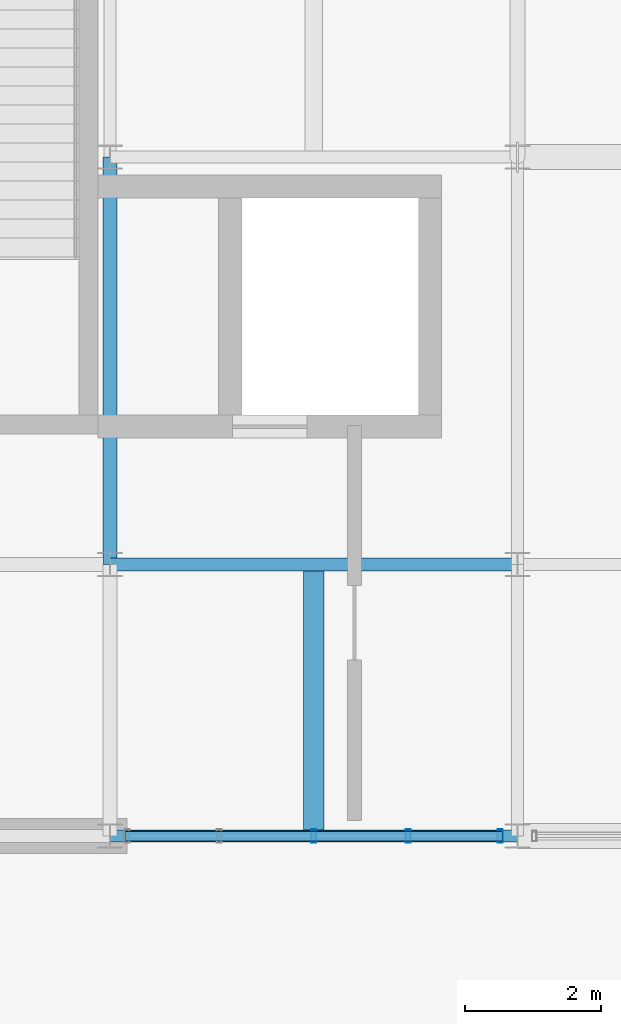
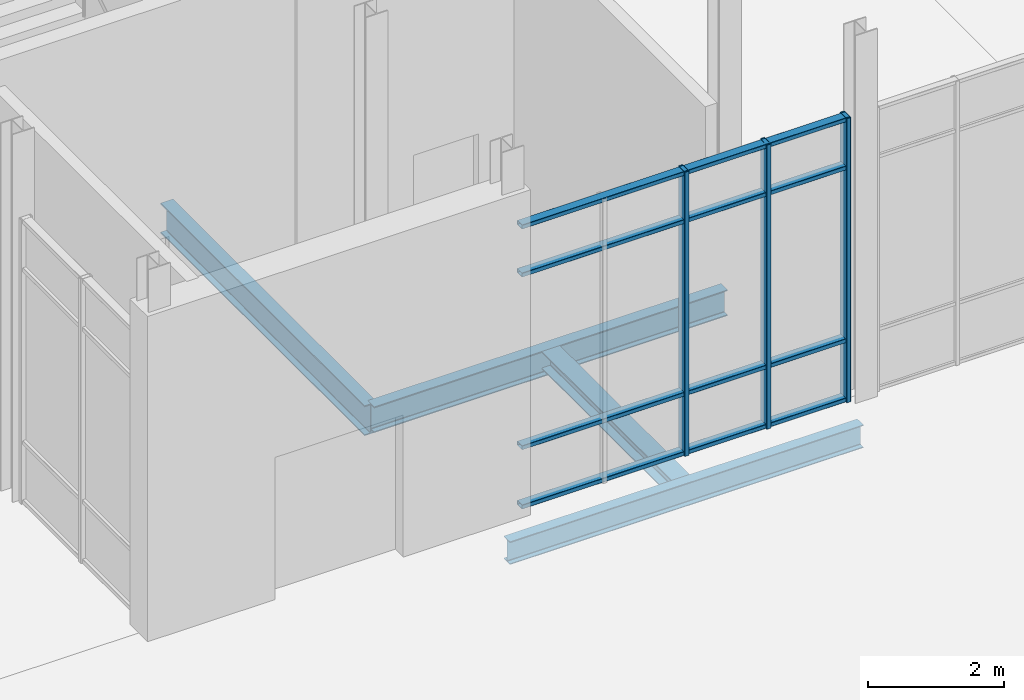
# One storey, part 71 of 140: 7 members, 4 beams, 1 element without a shape of its own.
"""IFC4 building model written with IfcOpenShell, lengths in metres."""

from ifc_helpers import new_model, si_unit, direction, frame, origin, origin_2d, place, context, subcontext, project, spatial, hollow_rectangle, i_section, extrude, material, material_profile, profile_set, type_object, element, aggregate, save


model = new_model("IFC4")

# Units and contexts
model_context = context("Model", 3, precision=1e-05, world=origin(), true_north=direction((0.0, 1.0)))
body_context = subcontext(model_context, "Body", "Model", "MODEL_VIEW")
ifc_project = project(units=[si_unit("LENGTHUNIT", "METRE"), si_unit("AREAUNIT", "SQUARE_METRE"), si_unit("VOLUMEUNIT", "CUBIC_METRE"), si_unit("PLANEANGLEUNIT", "RADIAN"), si_unit("MASSUNIT", "GRAM", prefix="KILO")], contexts=[model_context])

# Site, building, storey
site_placement = place(None, origin())
site = spatial("IfcSite", under=ifc_project, at=site_placement, CompositionType="ELEMENT")
building_placement = place(site_placement, origin())
building = spatial("IfcBuilding", under=site, at=building_placement, Name="Verrall Gate Interchange", CompositionType="ELEMENT")
storey_placement = place(building_placement, origin())
storey = spatial("IfcBuildingStorey", under=building, at=storey_placement, Name="L01", CompositionType="ELEMENT", Elevation=0.0)

# Beams
ifc_material_1 = material(Name="Structural Steel CSA G40.21 350W", Category="steel")
ifc_material_profile_1 = material_profile(ifc_material_1, i_section(OverallWidth=0.2109375, OverallDepth=0.5390625, WebThickness=0.01171875, FlangeThickness=0.018798828125, FilletRadius=0.013916015625, at=origin_2d()), Name="W530x109")
ifc_profile_set_1 = profile_set([ifc_material_profile_1], Name="Structural Steel CSA G40.21 350W")
beam_type_1 = type_object("IfcBeamType", Name="B-10 Structural Beam W530x109", PredefinedType="BEAM", material=ifc_profile_set_1)
beam_1_placement = place(storey_placement, frame((138.0, 16.0, -0.76953125), z_axis=(0.0, 1.0, 0.0), x_axis=(-1.0, 0.0, 0.0)))
element("IfcBeam", 1, at=beam_1_placement, inside=storey, type_object=beam_type_1, Name="L01 Girder BM-L01-1204 (B-10)", PredefinedType="BEAM", context=body_context, shape_type="SweptSolid", body=[
    extrude(i_section(OverallWidth=0.2109375, OverallDepth=0.5390625, WebThickness=0.01171875, FlangeThickness=0.018798828125, FilletRadius=0.013916015625, at=origin_2d()), origin(), (0.0, 0.0, 1.0), 6.0),
])
ifc_material_2 = material(Name="Structural Steel CSA G40.21 350W", Category="steel")
ifc_material_profile_2 = material_profile(ifc_material_2, i_section(OverallWidth=0.19189453125, OverallDepth=0.462890625, WebThickness=0.010498046875, FlangeThickness=0.017578125, FilletRadius=0.012939453125, at=origin_2d()), Name="W460x89")
ifc_profile_set_2 = profile_set([ifc_material_profile_2], Name="Structural Steel CSA G40.21 350W")
beam_type_2 = type_object("IfcBeamType", Name="B-11 Structural Beam W460x89", PredefinedType="BEAM", material=ifc_profile_set_2)
beam_2_placement = place(storey_placement, frame((138.0, 16.0, -0.7314453125), z_axis=(1.0, 0.0, 0.0), x_axis=(0.0, 1.0, 0.0)))
element("IfcBeam", 2, at=beam_2_placement, inside=storey, type_object=beam_type_2, Name="L01 Girder BM-L01-0803 (B-11)", PredefinedType="BEAM", context=body_context, shape_type="SweptSolid", body=[
    extrude(i_section(OverallWidth=0.19189453125, OverallDepth=0.462890625, WebThickness=0.010498046875, FlangeThickness=0.017578125, FilletRadius=0.012939453125, at=origin_2d()), origin(), (0.0, 0.0, 1.0), 6.0),
])
ifc_material_3 = material(Name="Structural Steel CSA G40.21 350W", Category="steel")
ifc_material_profile_3 = material_profile(ifc_material_3, i_section(OverallWidth=0.178955078125, OverallDepth=0.409912109375, WebThickness=0.0087890625, FlangeThickness=0.014404296875, FilletRadius=0.011962890625, at=origin_2d()), Name="W410x67")
ifc_profile_set_3 = profile_set([ifc_material_profile_3], Name="Structural Steel CSA G40.21 350W")
beam_type_3 = type_object("IfcBeamType", Name="B-12 Structural Beam W410x67", PredefinedType="BEAM", material=ifc_profile_set_3)
beam_3_placement = place(storey_placement, frame((138.0, 12.0, -0.705078125), z_axis=(1.0, 0.0, 0.0), x_axis=(0.0, 1.0, 0.0)))
element("IfcBeam", 3, at=beam_3_placement, inside=storey, type_object=beam_type_3, Name="L01 Girder BM-L01-0783 (B-12)", PredefinedType="BEAM", context=body_context, shape_type="SweptSolid", body=[
    extrude(i_section(OverallWidth=0.178955078125, OverallDepth=0.409912109375, WebThickness=0.0087890625, FlangeThickness=0.014404296875, FilletRadius=0.011962890625, at=origin_2d()), origin(), (0.0, 0.0, 1.0), 6.0),
])

# Curtain wall, members
ifc_material_4 = material(Name="Thermally Broken Anodized Aluminium Curtain Wall Framing", Category="aluminium")
curtain_wall_type = type_object("IfcCurtainWallType", Name="CW-04 Unitized Curtain Wall 5631x5100", PredefinedType="NOTDEFINED", material=ifc_material_4)
curtain_wall_placement = place(storey_placement, origin())
curtain_wall = element("IfcCurtainWall", 4, at=curtain_wall_placement, inside=storey, type_object=curtain_wall_type, Name="L01 Unitized Curtain Wall CW-L01-037", PredefinedType="NOTDEFINED")
ifc_material_5 = material(Name="Thermally Broken Anodized Aluminium Curtain Wall Framing", Category="aluminium")
ifc_material_profile_4 = material_profile(ifc_material_5, hollow_rectangle(XDim=0.074951171875, YDim=0.199951171875, WallThickness=0.0048828125, InnerFilletRadius=0.0048828125, OuterFilletRadius=0.010009765625, at=origin_2d()), Name="CWM200x75x5")
ifc_profile_set_4 = profile_set([ifc_material_profile_4], Name="Thermally Broken Anodized Aluminium Curtain Wall Framing")
member_type_1 = type_object("IfcMemberType", Name="CM-02 Curtain Mullion CWM200x75x5", PredefinedType="MULLION", material=ifc_profile_set_4)
member_1_placement = place(storey_placement, frame((141.0, 12.0, 0.0), z_axis=(0.0, 0.0, 1.0), x_axis=(1.0, 0.0, 0.0)))
member_1 = element("IfcMember", 5, at=member_1_placement, type_object=member_type_1, Name="CW-L01-037 Mullion 3", PredefinedType="MULLION", context=body_context, shape_type="SweptSolid", body=[
    extrude(hollow_rectangle(XDim=0.074951171875, YDim=0.199951171875, WallThickness=0.0048828125, InnerFilletRadius=0.0048828125, OuterFilletRadius=0.010009765625, at=origin_2d()), origin(), (0.0, 0.0, 1.0), 5.10009765625),
])
member_2_placement = place(storey_placement, frame((142.391845703125, 12.0, 0.0), z_axis=(0.0, 0.0, 1.0), x_axis=(1.0, 0.0, 0.0)))
member_2 = element("IfcMember", 6, at=member_2_placement, type_object=member_type_1, Name="CW-L01-037 Mullion 4", PredefinedType="MULLION", context=body_context, shape_type="SweptSolid", body=[
    extrude(hollow_rectangle(XDim=0.074951171875, YDim=0.199951171875, WallThickness=0.0048828125, InnerFilletRadius=0.0048828125, OuterFilletRadius=0.010009765625, at=origin_2d()), origin(), (0.0, 0.0, 1.0), 5.10009765625),
])
member_3_placement = place(storey_placement, frame((143.74609375, 12.0, 0.0), z_axis=(0.0, 0.0, 1.0), x_axis=(1.0, 0.0, 0.0)))
member_3 = element("IfcMember", 7, at=member_3_placement, type_object=member_type_1, Name="CW-L01-037 Mullion 5", PredefinedType="MULLION", context=body_context, shape_type="SweptSolid", body=[
    extrude(hollow_rectangle(XDim=0.074951171875, YDim=0.199951171875, WallThickness=0.0048828125, InnerFilletRadius=0.0048828125, OuterFilletRadius=0.010009765625, at=origin_2d()), origin(), (0.0, 0.0, 1.0), 5.10009765625),
])
ifc_material_6 = material(Name="Thermally Broken Anodized Aluminium Curtain Wall Framing", Category="aluminium")
ifc_material_profile_5 = material_profile(ifc_material_6, hollow_rectangle(XDim=0.14990234375, YDim=0.074951171875, WallThickness=0.00439453125, InnerFilletRadius=0.00439453125, OuterFilletRadius=0.009033203125, at=origin_2d()), Name="CWT150x75x4.5")
ifc_profile_set_5 = profile_set([ifc_material_profile_5], Name="Thermally Broken Anodized Aluminium Curtain Wall Framing")
member_type_2 = type_object("IfcMemberType", Name="CT-02 Curtain Transom CWT150x75x4.5", PredefinedType="USERDEFINED", material=ifc_profile_set_5)
member_4_placement = place(storey_placement, frame((138.216552734375, 12.0, 0.03759765625), z_axis=(1.0, 0.0, 0.0), x_axis=(0.0, 1.0, 0.0)))
member_4 = element("IfcMember", 8, at=member_4_placement, type_object=member_type_2, Name="CW-L01-037 Transom 1", ObjectType="TRANSOM", PredefinedType="USERDEFINED", context=body_context, shape_type="SweptSolid", body=[
    extrude(hollow_rectangle(XDim=0.14990234375, YDim=0.074951171875, WallThickness=0.00439453125, InnerFilletRadius=0.00439453125, OuterFilletRadius=0.009033203125, at=origin_2d()), origin(), (0.0, 0.0, 1.0), 5.56689453125),
])
member_5_placement = place(storey_placement, frame((138.216552734375, 12.0, 1.10009765625), z_axis=(1.0, 0.0, 0.0), x_axis=(0.0, 1.0, 0.0)))
member_5 = element("IfcMember", 9, at=member_5_placement, type_object=member_type_2, Name="CW-L01-037 Transom 2", ObjectType="TRANSOM", PredefinedType="USERDEFINED", context=body_context, shape_type="SweptSolid", body=[
    extrude(hollow_rectangle(XDim=0.14990234375, YDim=0.074951171875, WallThickness=0.00439453125, InnerFilletRadius=0.00439453125, OuterFilletRadius=0.009033203125, at=origin_2d()), origin(), (0.0, 0.0, 1.0), 5.56689453125),
])
member_6_placement = place(storey_placement, frame((138.216552734375, 12.0, 4.199951171875), z_axis=(1.0, 0.0, 0.0), x_axis=(0.0, 1.0, 0.0)))
member_6 = element("IfcMember", 10, at=member_6_placement, type_object=member_type_2, Name="CW-L01-037 Transom 3", ObjectType="TRANSOM", PredefinedType="USERDEFINED", context=body_context, shape_type="SweptSolid", body=[
    extrude(hollow_rectangle(XDim=0.14990234375, YDim=0.074951171875, WallThickness=0.00439453125, InnerFilletRadius=0.00439453125, OuterFilletRadius=0.009033203125, at=origin_2d()), origin(), (0.0, 0.0, 1.0), 5.56689453125),
])
member_7_placement = place(storey_placement, frame((138.216552734375, 12.0, 5.0625), z_axis=(1.0, 0.0, 0.0), x_axis=(0.0, 1.0, 0.0)))
member_7 = element("IfcMember", 11, at=member_7_placement, type_object=member_type_2, Name="CW-L01-037 Transom 4", ObjectType="TRANSOM", PredefinedType="USERDEFINED", context=body_context, shape_type="SweptSolid", body=[
    extrude(hollow_rectangle(XDim=0.14990234375, YDim=0.074951171875, WallThickness=0.00439453125, InnerFilletRadius=0.00439453125, OuterFilletRadius=0.009033203125, at=origin_2d()), origin(), (0.0, 0.0, 1.0), 5.56689453125),
])
aggregate(curtain_wall, [member_1, member_2, member_3, member_4, member_5, member_6, member_7])

# Beam
ifc_material_7 = material(Name="Structural Steel CSA G40.21 350W", Category="steel")
ifc_material_profile_6 = material_profile(ifc_material_7, i_section(OverallWidth=0.306884765625, OverallDepth=0.31396484375, WebThickness=0.011962890625, FlangeThickness=0.018798828125, FilletRadius=0.013916015625, at=origin_2d()), Name="W310x118")
ifc_profile_set_6 = profile_set([ifc_material_profile_6], Name="Structural Steel CSA G40.21 350W")
beam_type_4 = type_object("IfcBeamType", Name="J-02 Floor Joist W310x118", PredefinedType="JOIST", material=ifc_profile_set_6)
beam_4_placement = place(storey_placement, frame((141.0, 12.089599609375, -0.656982421875), z_axis=(0.0, 1.0, 0.0), x_axis=(-1.0, 0.0, 0.0)))
element("IfcBeam", 12, at=beam_4_placement, inside=storey, type_object=beam_type_4, Name="L01 Secondary Floor Joist JST-L01-1294", PredefinedType="JOIST", context=body_context, shape_type="SweptSolid", body=[
    extrude(i_section(OverallWidth=0.306884765625, OverallDepth=0.31396484375, WebThickness=0.011962890625, FlangeThickness=0.018798828125, FilletRadius=0.013916015625, at=origin_2d()), origin(), (0.0, 0.0, 1.0), 3.814453125),
])

save(model, "model.ifc")
